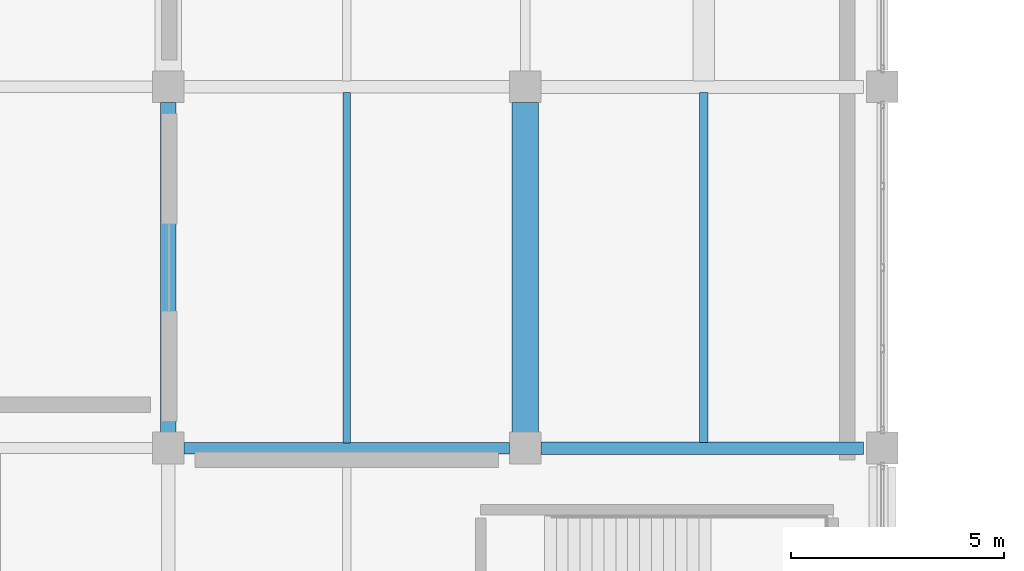
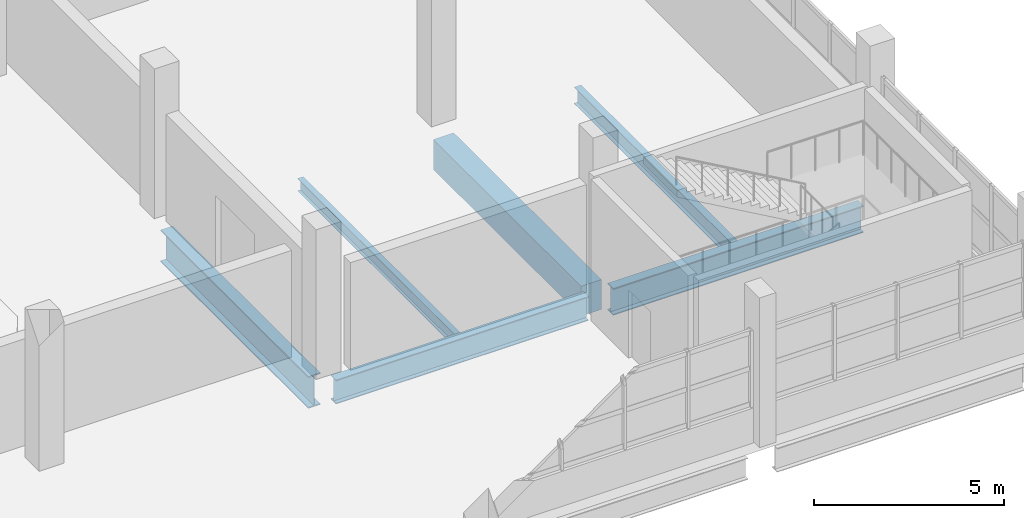
# One storey, part 66 of 117: 6 beams.
"""IFC4 building model written with IfcOpenShell, lengths in metres."""

from ifc_helpers import new_model, si_unit, direction, frame, origin, origin_2d, place, context, subcontext, project, spatial, rectangle, i_section, extrude, material, material_profile, profile_set, type_object, element, save


model = new_model("IFC4")

# Units and contexts
model_context = context("Model", 3, precision=1e-05, world=origin(), true_north=direction((0.0, 1.0)))
body_context = subcontext(model_context, "Body", "Model", "MODEL_VIEW")
ifc_project = project(units=[si_unit("LENGTHUNIT", "METRE"), si_unit("AREAUNIT", "SQUARE_METRE"), si_unit("VOLUMEUNIT", "CUBIC_METRE"), si_unit("PLANEANGLEUNIT", "RADIAN"), si_unit("MASSUNIT", "GRAM", prefix="KILO")], contexts=[model_context])

# Site, building, storey
site_placement = place(None, origin())
site = spatial("IfcSite", under=ifc_project, at=site_placement, CompositionType="ELEMENT")
building_placement = place(site_placement, origin())
building = spatial("IfcBuilding", under=site, at=building_placement, Name="Solvento Point Concert Hall", CompositionType="ELEMENT")
storey_placement = place(building_placement, frame((0.0, 0.0, 5.39990234375)))
storey = spatial("IfcBuildingStorey", under=building, at=storey_placement, Name="L01", CompositionType="ELEMENT", Elevation=5.39990234375)

# Beams
ifc_material_1 = material(Name="Structural Steel ASTM A992 Grade 50", Category="steel")
ifc_material_profile_1 = material_profile(ifc_material_1, i_section(OverallWidth=0.20947265625, OverallDepth=0.532958984375, WebThickness=0.01025390625, FlangeThickness=0.015625, at=origin_2d()), Name="W21X62")
ifc_profile_set_1 = profile_set([ifc_material_profile_1], Name="Structural Steel ASTM A992 Grade 50")
beam_type_1 = type_object("IfcBeamType", Name="Beam_W21X62", PredefinedType="BEAM", material=ifc_profile_set_1)
beam_1_placement = place(storey_placement, frame((204.60009765625, 8.631103515625, -0.6904296875), z_axis=(0.0, 1.0, 0.0), x_axis=(-1.0, 0.0, 0.0)))
element("IfcBeam", 1, at=beam_1_placement, inside=storey, type_object=beam_type_1, Name="Secondary floor joist B-25 L01", PredefinedType="BEAM", context=body_context, shape_type="SweptSolid", body=[
    extrude(i_section(OverallWidth=0.20947265625, OverallDepth=0.532958984375, WebThickness=0.01025390625, FlangeThickness=0.015625, at=origin_2d()), origin(), (0.0, 0.0, 1.0), 8.230224609375),
])
ifc_material_2 = material(Name="Concrete C35/45", Category="concrete")
ifc_material_profile_2 = material_profile(ifc_material_2, rectangle(XDim=0.6201171875, YDim=0.9599609375, at=origin_2d()), Name="RC-BM-620X960")
ifc_profile_set_2 = profile_set([ifc_material_profile_2], Name="Concrete C35/45")
beam_type_2 = type_object("IfcBeamType", Name="Girder_RC_620x960", PredefinedType="USERDEFINED", material=ifc_profile_set_2)
beam_2_placement = place(storey_placement, frame((200.39990234375, 8.868896484375, -0.90380859375), z_axis=(0.0, 1.0, 0.0), x_axis=(-1.0, 0.0, 0.0)))
element("IfcBeam", 2, at=beam_2_placement, inside=storey, type_object=beam_type_2, Name="Primary girder B-69 L01", ObjectType="GIRDER", PredefinedType="USERDEFINED", context=body_context, shape_type="SweptSolid", body=[
    extrude(rectangle(XDim=0.6201171875, YDim=0.9599609375, at=origin_2d()), origin(), (0.0, 0.0, 1.0), 7.76220703125),
])
ifc_material_3 = material(Name="Structural Steel ASTM A992 Grade 50", Category="steel")
ifc_material_profile_3 = material_profile(ifc_material_3, i_section(OverallWidth=0.26806640625, OverallDepth=0.77001953125, WebThickness=0.015625, FlangeThickness=0.025390625, at=origin_2d()), Name="W30X132")
ifc_profile_set_3 = profile_set([ifc_material_profile_3], Name="Structural Steel ASTM A992 Grade 50")
beam_type_3 = type_object("IfcBeamType", Name="Girder_W30X132", PredefinedType="USERDEFINED", material=ifc_profile_set_3)
beam_3_placement = place(storey_placement, frame((192.368896484375, 8.5, -0.808837890625), z_axis=(1.0, 0.0, 0.0), x_axis=(0.0, 1.0, 0.0)))
element("IfcBeam", 3, at=beam_3_placement, inside=storey, type_object=beam_type_3, Name="Primary girder B-68 L01", ObjectType="GIRDER", PredefinedType="USERDEFINED", context=body_context, shape_type="SweptSolid", body=[
    extrude(i_section(OverallWidth=0.26806640625, OverallDepth=0.77001953125, WebThickness=0.015625, FlangeThickness=0.025390625, at=origin_2d()), origin(), (0.0, 0.0, 1.0), 7.662109375),
])
ifc_material_4 = material(Name="Structural Steel ASTM A992 Grade 50", Category="steel")
ifc_material_profile_4 = material_profile(ifc_material_4, i_section(OverallWidth=0.2919921875, OverallDepth=0.85888671875, WebThickness=0.01708984375, FlangeThickness=0.031005859375, at=origin_2d()), Name="W33X169")
ifc_profile_set_4 = profile_set([ifc_material_profile_4], Name="Structural Steel ASTM A992 Grade 50")
beam_type_4 = type_object("IfcBeamType", Name="Girder_W33X169", PredefinedType="USERDEFINED", material=ifc_profile_set_4)
beam_4_placement = place(storey_placement, frame((200.76904296875, 8.5, -0.853515625), z_axis=(1.0, 0.0, 0.0), x_axis=(0.0, 1.0, 0.0)))
element("IfcBeam", 4, at=beam_4_placement, inside=storey, type_object=beam_type_4, Name="Primary girder B-33 L01", ObjectType="GIRDER", PredefinedType="USERDEFINED", context=body_context, shape_type="SweptSolid", body=[
    extrude(i_section(OverallWidth=0.2919921875, OverallDepth=0.85888671875, WebThickness=0.01708984375, FlangeThickness=0.031005859375, at=origin_2d()), origin(), (0.0, 0.0, 1.0), 7.5869140625),
])
ifc_material_5 = material(Name="Structural Steel ASTM A992 Grade 50", Category="steel")
ifc_material_profile_5 = material_profile(ifc_material_5, i_section(OverallWidth=0.361083984375, OverallDepth=1.02587890625, WebThickness=0.01904296875, FlangeThickness=0.0361328125, at=origin_2d()), Name="W40X249")
ifc_profile_set_5 = profile_set([ifc_material_profile_5], Name="Structural Steel ASTM A992 Grade 50")
beam_type_5 = type_object("IfcBeamType", Name="Girder_W40X249", PredefinedType="USERDEFINED", material=ifc_profile_set_5)
beam_5_placement = place(storey_placement, frame((192.0, 8.868896484375, -0.93701171875), z_axis=(0.0, 1.0, 0.0), x_axis=(-1.0, 0.0, 0.0)))
element("IfcBeam", 5, at=beam_5_placement, inside=storey, type_object=beam_type_5, Name="Primary girder B-29 L01", ObjectType="GIRDER", PredefinedType="USERDEFINED", context=body_context, shape_type="SweptSolid", body=[
    extrude(i_section(OverallWidth=0.361083984375, OverallDepth=1.02587890625, WebThickness=0.01904296875, FlangeThickness=0.0361328125, at=origin_2d()), origin(), (0.0, 0.0, 1.0), 7.76220703125),
])
ifc_material_6 = material(Name="Structural Steel ASTM A992 Grade 50", Category="steel")
ifc_material_profile_6 = material_profile(ifc_material_6, i_section(OverallWidth=0.177490234375, OverallDepth=0.403076171875, WebThickness=0.007568359375, FlangeThickness=0.010986328125, at=origin_2d()), Name="W16X36")
ifc_profile_set_6 = profile_set([ifc_material_profile_6], Name="Structural Steel ASTM A992 Grade 50")
beam_type_6 = type_object("IfcBeamType", Name="Joist_W16X36", PredefinedType="JOIST", material=ifc_profile_set_6)
beam_6_placement = place(storey_placement, frame((196.199951171875, 8.618896484375, -0.62548828125), z_axis=(0.0, 1.0, 0.0), x_axis=(-1.0, 0.0, 0.0)))
element("IfcBeam", 6, at=beam_6_placement, inside=storey, type_object=beam_type_6, Name="Secondary floor joist B-30 L01", PredefinedType="JOIST", context=body_context, shape_type="SweptSolid", body=[
    extrude(i_section(OverallWidth=0.177490234375, OverallDepth=0.403076171875, WebThickness=0.007568359375, FlangeThickness=0.010986328125, at=origin_2d()), origin(), (0.0, 0.0, 1.0), 8.25),
])

save(model, "model.ifc")
